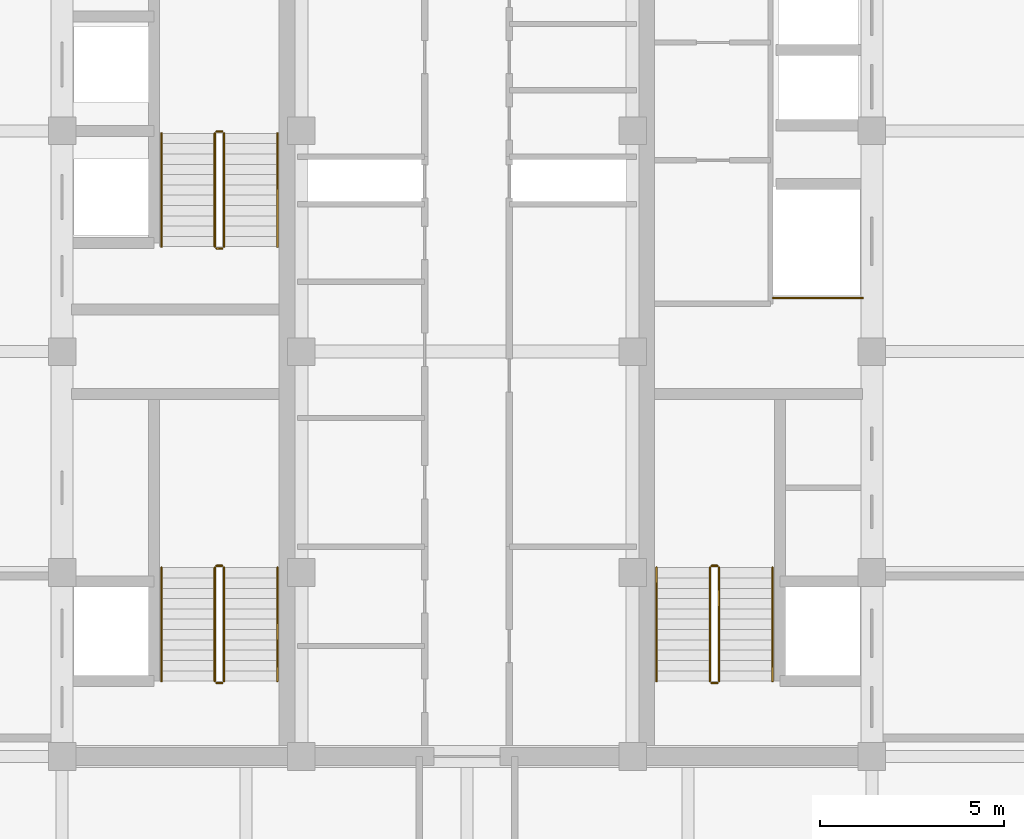
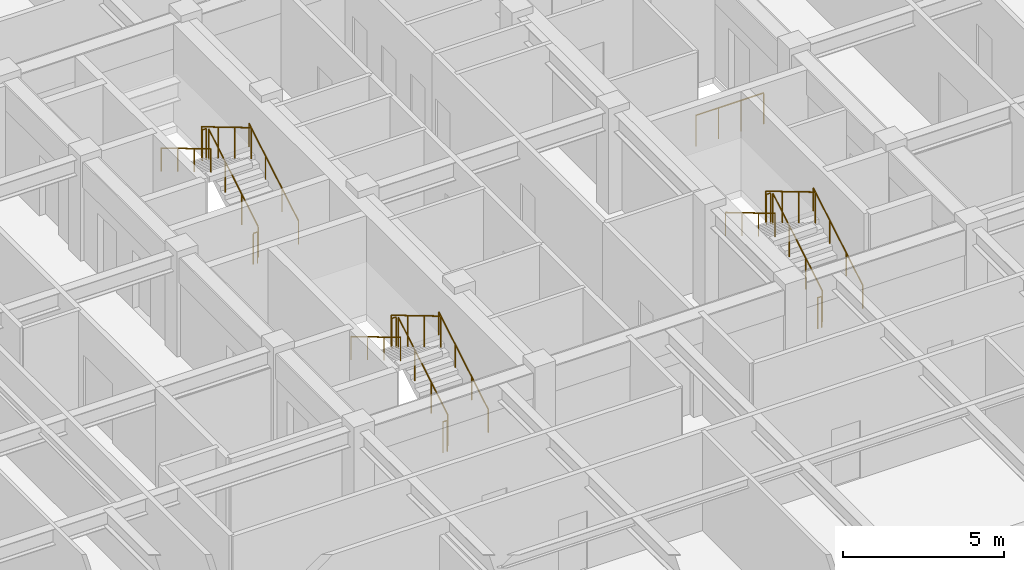
# One storey, part 28 of 28: 19 railings.
"""IFC4 building model written with IfcOpenShell, lengths in metres."""

from ifc_helpers import new_model, si_unit, direction, frame, origin, origin_2d, place, context, subcontext, project, spatial, circle, extrude, source, transform, mapped, material, type_object, element, save


model = new_model("IFC4")

# Units and contexts
model_context = context("Model", 3, precision=1e-05, world=origin(), true_north=direction((0.0, 1.0)))
body_context = subcontext(model_context, "Body", "Model", "MODEL_VIEW")
ifc_project = project(units=[si_unit("LENGTHUNIT", "METRE"), si_unit("AREAUNIT", "SQUARE_METRE"), si_unit("VOLUMEUNIT", "CUBIC_METRE"), si_unit("PLANEANGLEUNIT", "RADIAN"), si_unit("MASSUNIT", "GRAM", prefix="KILO")], contexts=[model_context])

# Site, building, storey
site_placement = place(None, origin())
site = spatial("IfcSite", under=ifc_project, at=site_placement, CompositionType="ELEMENT")
building_placement = place(site_placement, origin())
building = spatial("IfcBuilding", under=site, at=building_placement, Name="Khorayat Bourse Tower", CompositionType="ELEMENT")
storey_placement = place(building_placement, frame((0.0, 0.0, 330.300048828125)))
storey = spatial("IfcBuildingStorey", under=building, at=storey_placement, Name="L78", CompositionType="ELEMENT", Elevation=330.300048828125)

# Railings
ifc_material_1 = material(Name="Powder-coated steel balustrade", Category="steel")
railing_type_1 = type_object("IfcRailingType", Name="RLG-GUARD-1200", PredefinedType="GUARDRAIL", material=ifc_material_1)
shared_shape_1 = source(origin(), body_context, "Body", "SweptSolid", [
    extrude(circle(Radius=0.02392578125, at=origin_2d()), frame((0.0, 0.0, 1.17578125), z_axis=(-1.0, 0.0, 0.0), x_axis=(0.0, -1.0, 0.0)), (0.0, 0.0, 1.0), 0.150146484375),
    extrude(circle(Radius=0.02099609375, at=origin_2d()), origin(), (0.0, 0.0, 1.0), 1.15185546875),
    extrude(circle(Radius=0.02099609375, at=origin_2d()), frame((-0.150146484375, 0.0, 0.0)), (0.0, 0.0, 1.0), 1.15185546875),
])
for number, where, name in (
    (1, (-6.64990234375, -5.820068359375, 2.0), "L78 ST-1 stair guard 2"),
    (2, (-6.64990234375, -9.0, 0.0), "L78 ST-1 stair guard 4"),
    (3, (-6.64990234375, 5.97998046875, 2.0), "L78 ST-2 stair guard 2"),
    (4, (-6.64990234375, 2.800048828125, 0.0), "L78 ST-2 stair guard 4"),
    (5, (6.800048828125, -5.820068359375, 2.0), "L78 ST-3 stair guard 2"),
    (6, (6.800048828125, -9.0, 0.0), "L78 ST-3 stair guard 4"),
):
    element("IfcRailing", number, at=place(storey_placement, frame(where)), inside=storey, type_object=railing_type_1, Name=name, PredefinedType="GUARDRAIL", context=body_context, shape_type="MappedRepresentation", body=[
        mapped(shared_shape_1, transform((0.0, 0.0, 0.0), scale=1.0)),
    ])
shared_shape_2 = source(origin(), body_context, "Body", "SweptSolid", [
    extrude(circle(Radius=0.02392578125, at=origin_2d()), frame((0.0, 0.0, 1.17578125), z_axis=(0.0, 0.859260807169, 0.511537745687), x_axis=(-1.0, 0.0, 0.0)), (0.0, 0.0, 1.0), 3.584228515625),
    extrude(circle(Radius=0.02099609375, at=origin_2d()), origin(), (0.0, 0.0, 1.0), 1.15185546875),
    extrude(circle(Radius=0.02099609375, at=origin_2d()), frame((0.0, 1.026611328125, 0.611083984375)), (0.0, 0.0, 1.0), 1.15185546875),
    extrude(circle(Radius=0.02099609375, at=origin_2d()), frame((0.0, 2.05322265625, 1.222412109375)), (0.0, 0.0, 1.0), 1.15185546875),
    extrude(circle(Radius=0.02099609375, at=origin_2d()), frame((0.0, 3.079833984375, 1.83349609375)), (0.0, 0.0, 1.0), 1.15185546875),
])
for number, where, name in (
    (7, (-6.60009765625, -8.949951171875, 0.16650390625), "L78 ST-1 stair guard 1"),
    (8, (-6.60009765625, 2.85009765625, 0.16650390625), "L78 ST-2 stair guard 1"),
    (9, (6.85009765625, -8.949951171875, 0.16650390625), "L78 ST-3 stair guard 1"),
):
    element("IfcRailing", number, at=place(storey_placement, frame(where)), inside=storey, type_object=railing_type_1, Name=name, PredefinedType="GUARDRAIL", context=body_context, shape_type="MappedRepresentation", body=[
        mapped(shared_shape_2, transform((0.0, 0.0, 0.0), scale=1.0)),
    ])
shared_shape_3 = source(origin(), body_context, "Body", "SweptSolid", [
    extrude(circle(Radius=0.02392578125, at=origin_2d()), frame((0.0, 0.0, 1.17578125), z_axis=(0.0, -0.859260807169, 0.511537745687), x_axis=(1.0, 0.0, 0.0)), (0.0, 0.0, 1.0), 3.584228515625),
    extrude(circle(Radius=0.02099609375, at=origin_2d()), origin(), (0.0, 0.0, 1.0), 1.15185546875),
    extrude(circle(Radius=0.02099609375, at=origin_2d()), frame((0.0, -1.026611328125, 0.611083984375)), (0.0, 0.0, 1.0), 1.15185546875),
    extrude(circle(Radius=0.02099609375, at=origin_2d()), frame((0.0, -2.05322265625, 1.222412109375)), (0.0, 0.0, 1.0), 1.15185546875),
    extrude(circle(Radius=0.02099609375, at=origin_2d()), frame((0.0, -3.079833984375, 1.83349609375)), (0.0, 0.0, 1.0), 1.15185546875),
])
for number, where, name in (
    (10, (-6.85009765625, -5.8701171875, 2.16650390625), "L78 ST-1 stair guard 3"),
    (11, (-6.85009765625, 5.929931640625, 2.16650390625), "L78 ST-2 stair guard 3"),
    (12, (6.60009765625, -5.8701171875, 2.16650390625), "L78 ST-3 stair guard 3"),
):
    element("IfcRailing", number, at=place(storey_placement, frame(where)), inside=storey, type_object=railing_type_1, Name=name, PredefinedType="GUARDRAIL", context=body_context, shape_type="MappedRepresentation", body=[
        mapped(shared_shape_3, transform((0.0, 0.0, 0.0), scale=1.0)),
    ])
ifc_material_2 = material(Name="Brushed bronze stainless-steel handrail", Category="steel")
railing_type_2 = type_object("IfcRailingType", Name="RLG-HAND-900", PredefinedType="HANDRAIL", material=ifc_material_2)
shared_shape_4 = source(origin(), body_context, "Body", "SweptSolid", [
    extrude(circle(Radius=0.02392578125, at=origin_2d()), frame((0.0, 0.0, 0.8759765625), z_axis=(0.0, 0.859260807169, 0.511537745687), x_axis=(-1.0, 0.0, 0.0)), (0.0, 0.0, 1.0), 3.584228515625),
    extrude(circle(Radius=0.02099609375, at=origin_2d()), origin(), (0.0, 0.0, 1.0), 0.851806640625),
    extrude(circle(Radius=0.02099609375, at=origin_2d()), frame((0.0, 1.026611328125, 0.611083984375)), (0.0, 0.0, 1.0), 0.851806640625),
    extrude(circle(Radius=0.02099609375, at=origin_2d()), frame((0.0, 2.05322265625, 1.222412109375)), (0.0, 0.0, 1.0), 0.851806640625),
    extrude(circle(Radius=0.02099609375, at=origin_2d()), frame((0.0, 3.079833984375, 1.83349609375)), (0.0, 0.0, 1.0), 0.851806640625),
])
for number, where, name in (
    (13, (-5.14990234375, -8.949951171875, 0.16650390625), "L78 ST-1 stair handrail 1"),
    (14, (-5.14990234375, 2.85009765625, 0.16650390625), "L78 ST-2 stair handrail 1"),
    (15, (8.300048828125, -8.949951171875, 0.16650390625), "L78 ST-3 stair handrail 1"),
):
    element("IfcRailing", number, at=place(storey_placement, frame(where)), inside=storey, type_object=railing_type_2, Name=name, PredefinedType="HANDRAIL", context=body_context, shape_type="MappedRepresentation", body=[
        mapped(shared_shape_4, transform((0.0, 0.0, 0.0), scale=1.0)),
    ])
shared_shape_5 = source(origin(), body_context, "Body", "SweptSolid", [
    extrude(circle(Radius=0.02392578125, at=origin_2d()), frame((0.0, 0.0, 0.8759765625), z_axis=(0.0, -0.859260807169, 0.511537745687), x_axis=(1.0, 0.0, 0.0)), (0.0, 0.0, 1.0), 3.584228515625),
    extrude(circle(Radius=0.02099609375, at=origin_2d()), origin(), (0.0, 0.0, 1.0), 0.851806640625),
    extrude(circle(Radius=0.02099609375, at=origin_2d()), frame((0.0, -1.026611328125, 0.611083984375)), (0.0, 0.0, 1.0), 0.851806640625),
    extrude(circle(Radius=0.02099609375, at=origin_2d()), frame((0.0, -2.05322265625, 1.222412109375)), (0.0, 0.0, 1.0), 0.851806640625),
    extrude(circle(Radius=0.02099609375, at=origin_2d()), frame((0.0, -3.079833984375, 1.83349609375)), (0.0, 0.0, 1.0), 0.851806640625),
])
for number, where, name in (
    (16, (-8.300048828125, -5.8701171875, 2.16650390625), "L78 ST-1 stair handrail 2"),
    (17, (-8.300048828125, 5.929931640625, 2.16650390625), "L78 ST-2 stair handrail 2"),
    (18, (5.14990234375, -5.8701171875, 2.16650390625), "L78 ST-3 stair handrail 2"),
):
    element("IfcRailing", number, at=place(storey_placement, frame(where)), inside=storey, type_object=railing_type_2, Name=name, PredefinedType="HANDRAIL", context=body_context, shape_type="MappedRepresentation", body=[
        mapped(shared_shape_5, transform((0.0, 0.0, 0.0), scale=1.0)),
    ])
shared_shape_6 = source(origin(), body_context, "Body", "SweptSolid", [
    extrude(circle(Radius=0.02392578125, at=origin_2d()), frame((0.0, 0.0, 1.17578125), z_axis=(1.0, 0.0, 0.0), x_axis=(0.0, 1.0, 0.0)), (0.0, 0.0, 1.0), 2.429931640625),
    extrude(circle(Radius=0.02099609375, at=origin_2d()), origin(), (0.0, 0.0, 1.0), 1.15185546875),
    extrude(circle(Radius=0.02099609375, at=origin_2d()), frame((0.81005859375, 0.0, 0.0)), (0.0, 0.0, 1.0), 1.15185546875),
    extrude(circle(Radius=0.02099609375, at=origin_2d()), frame((1.619873046875, 0.0, 0.0)), (0.0, 0.0, 1.0), 1.15185546875),
    extrude(circle(Radius=0.02099609375, at=origin_2d()), frame((2.429931640625, 0.0, 0.0)), (0.0, 0.0, 1.0), 1.15185546875),
])
railing_placement = place(storey_placement, frame((8.320068359375, 1.4599609375, 0.0)))
element("IfcRailing", 19, at=railing_placement, inside=storey, type_object=railing_type_1, Name="L78 Goods Shaft Opening Guardrail", PredefinedType="GUARDRAIL", context=body_context, shape_type="MappedRepresentation", body=[
    mapped(shared_shape_6, transform((0.0, 0.0, 0.0), scale=1.0)),
])

save(model, "model.ifc")
